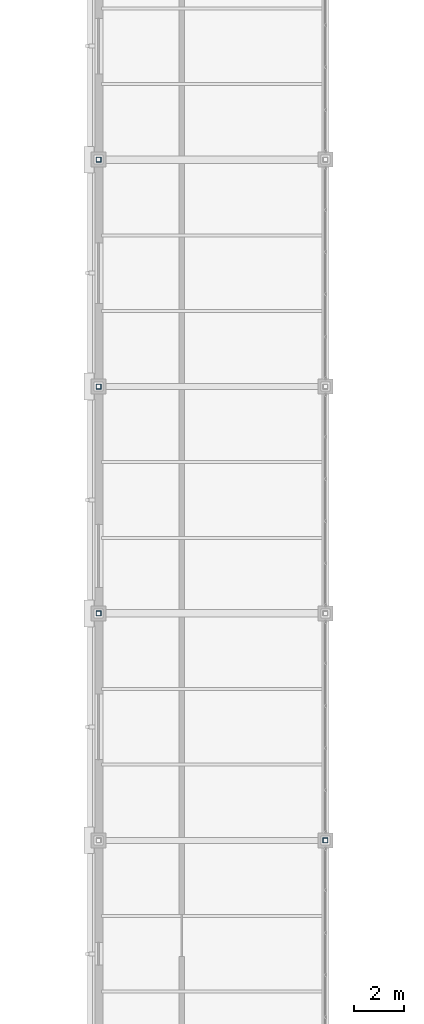
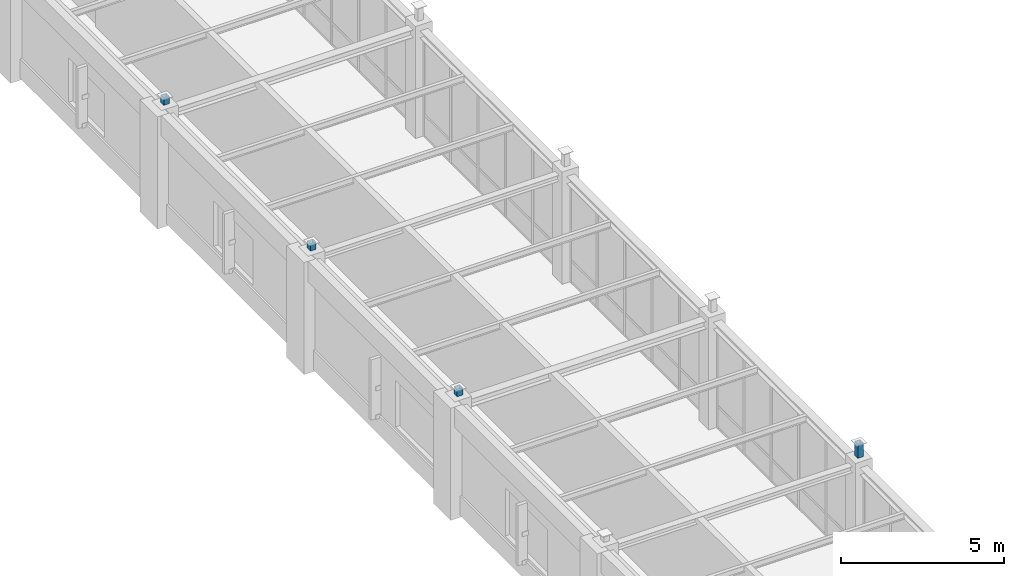
# One storey, part 67 of 97: 4 members.
"""IFC4 building model written with IfcOpenShell, lengths in metres."""

from ifc_helpers import new_model, si_unit, direction, frame, origin, origin_2d, place, context, subcontext, project, spatial, hollow_rectangle, extrude, material, material_profile, profile_set, type_object, element, save


model = new_model("IFC4")

# Units and contexts
model_context = context("Model", 3, precision=1e-05, world=origin(), true_north=direction((0.0, 1.0)))
body_context = subcontext(model_context, "Body", "Model", "MODEL_VIEW")
ifc_project = project(units=[si_unit("LENGTHUNIT", "METRE"), si_unit("AREAUNIT", "SQUARE_METRE"), si_unit("VOLUMEUNIT", "CUBIC_METRE"), si_unit("PLANEANGLEUNIT", "RADIAN"), si_unit("MASSUNIT", "GRAM", prefix="KILO")], contexts=[model_context])

# Site, building, storey
site_placement = place(None, origin())
site = spatial("IfcSite", under=ifc_project, at=site_placement, CompositionType="ELEMENT")
building_placement = place(site_placement, origin())
building = spatial("IfcBuilding", under=site, at=building_placement, Name="Lykobir Media Centre", CompositionType="ELEMENT")
storey_placement = place(building_placement, frame((0.0, 0.0, 23.39990234375)))
storey = spatial("IfcBuildingStorey", under=building, at=storey_placement, Name="L05", CompositionType="ELEMENT", Elevation=23.39990234375)

# Members
ifc_material = material(Name="Steel S355", Category="steel")
ifc_material_profile = material_profile(ifc_material, hollow_rectangle(XDim=0.199951171875, YDim=0.199951171875, WallThickness=0.010009765625, at=origin_2d()), Name="SHS 200x200x10")
ifc_profile_set = profile_set([ifc_material_profile], Name="Steel S355")
member_type = type_object("IfcMemberType", Name="TC-SHS200", PredefinedType="CHORD", material=ifc_profile_set)
for number, where, z_axis, x_axis, name in (
    (1, (90.0, 36.0, 4.2001953125), (0.0, 0.0, 1.0), (1.0, 0.0, 0.0), "Truss chord MEM2-L05-0900-0360-0276-0900-0360-0020"),
    (2, (90.0, 45.0, 4.2001953125), (0.0, 0.0, 1.0), (1.0, 0.0, 0.0), "Truss chord MEM2-L05-0900-0450-0276-0900-0450-0021"),
    (3, (90.0, 54.0, 4.2001953125), (0.0, 0.0, 1.0), (1.0, 0.0, 0.0), "Truss chord MEM2-L05-0900-0540-0276-0900-0540-0022"),
):
    element("IfcMember", number, at=place(storey_placement, frame(where, z_axis=z_axis, x_axis=x_axis)), inside=storey, type_object=member_type, Name=name, PredefinedType="CHORD", context=body_context, shape_type="SweptSolid", body=[
        extrude(hollow_rectangle(XDim=0.199951171875, YDim=0.199951171875, WallThickness=0.010009765625, at=origin_2d()), origin(), (0.0, 0.0, 1.0), 0.275146484375),
    ])
member_placement = place(storey_placement, frame((99.0, 27.0, 4.2001953125), z_axis=(0.0, 0.0, 1.0), x_axis=(1.0, 0.0, 0.0)))
element("IfcMember", 4, at=member_placement, inside=storey, type_object=member_type, Name="Truss chord MEM2-L05-0990-0270-0276-0990-0270-0025", PredefinedType="CHORD", context=body_context, shape_type="SweptSolid", body=[
    extrude(hollow_rectangle(XDim=0.199951171875, YDim=0.199951171875, WallThickness=0.010009765625, at=origin_2d()), origin(), (0.0, 0.0, 1.0), 0.530029296875),
])

save(model, "model.ifc")
